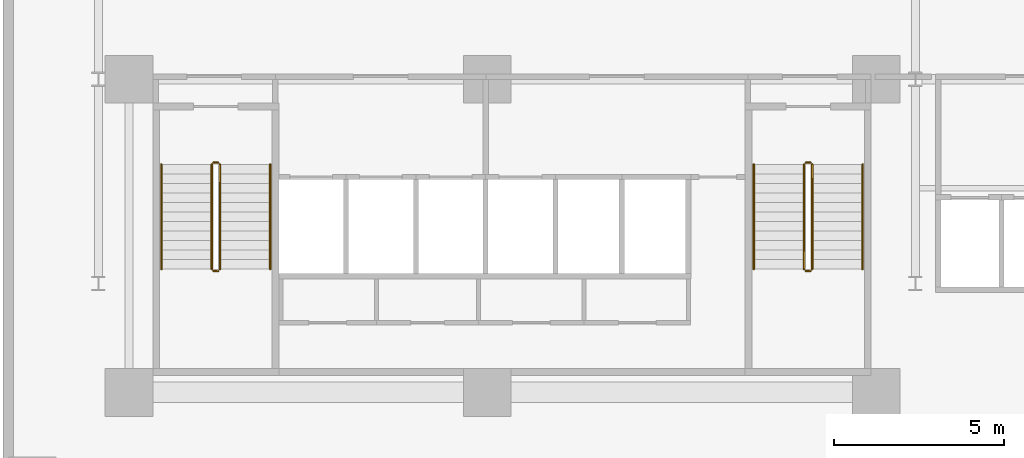
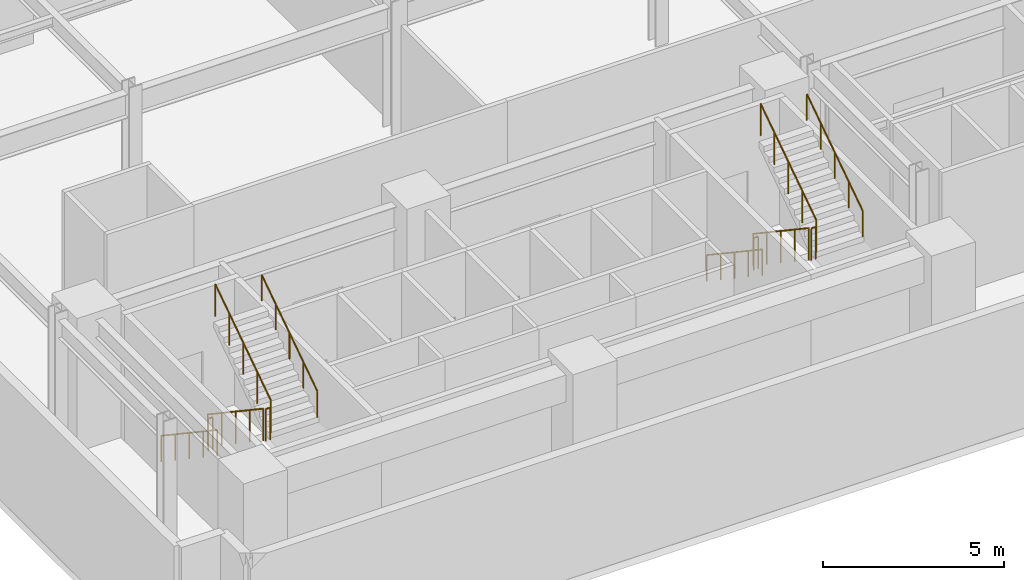
# One storey, part 20 of 26: 12 railings.
"""IFC4 building model written with IfcOpenShell, lengths in metres."""

import ifcopenshell
import ifcopenshell.guid

model = None  # the IFC model being written
_history = None  # IfcOwnerHistory: only IFC2X3 demands one
_inside = {}  # id of a spatial element -> (the spatial element, [elements in it])
_under = {}  # id of a project, library or spatial element -> (it, [spatial elements below it])
_declared = {}  # id of a project -> (the project, [libraries it declares])
_typed = {}  # id of a type object -> (the type object, [elements of that type])
_made_of = {}  # id of a material, layer set ... -> (it, [elements and type objects made of it])


def new_model(schema):
    """Start an empty IFC model of exactly this schema.

    Asked for "IFC4X3", IfcOpenShell would pick the latest addendum, in which some entities
    have other attributes; the version numbers below select the first issue.
    IFC2X3 requires an IfcOwnerHistory on every rooted entity: one is made here for all.
    """
    global model, _history
    if schema == "IFC4X3":
        model = ifcopenshell.file(schema_version=(4, 3, 0, 0))
    else:
        model = ifcopenshell.file(schema=schema)
    _inside.clear()
    _under.clear()
    _declared.clear()
    _typed.clear()
    _made_of.clear()
    _history = None
    if model.schema == "IFC2X3":
        org = make("IfcOrganization", Name="unknown")
        user = make(
            "IfcPersonAndOrganization",
            ThePerson=make("IfcPerson", FamilyName="unknown"),
            TheOrganization=org,
        )
        app = make(
            "IfcApplication",
            ApplicationDeveloper=org,
            Version="unknown",
            ApplicationFullName="unknown",
            ApplicationIdentifier="unknown",
        )
        _history = make(
            "IfcOwnerHistory",
            OwningUser=user,
            OwningApplication=app,
            ChangeAction="ADDED",
            CreationDate=0,
        )
    return model


def make(cls, **values):
    """One entity of the class cls with the attributes given. An attribute that is None is left unset."""
    return model.create_entity(
        cls, **{name: value for name, value in values.items() if value is not None}
    )


def rooted(cls, **values):
    """An entity with a GlobalId (a new one), such as an element, a storey or a relation."""
    return make(cls, GlobalId=ifcopenshell.guid.new(), OwnerHistory=_history, **values)


def si_unit(unit_type, name, prefix=None):
    """IfcSIUnit, for example si_unit("LENGTHUNIT", "METRE", prefix="MILLI")."""
    return make("IfcSIUnit", UnitType=unit_type, Prefix=prefix, Name=name)


def assignment(units):
    """IfcUnitAssignment: the units of a project."""
    return None if units is None else make("IfcUnitAssignment", Units=units)


def point(xyz):
    """IfcCartesianPoint."""
    return None if xyz is None else make("IfcCartesianPoint", Coordinates=xyz)


def direction(xyz):
    """IfcDirection."""
    return None if xyz is None else make("IfcDirection", DirectionRatios=xyz)


def frame(location, z_axis=None, x_axis=None):
    """IfcAxis2Placement3D, a coordinate frame: its origin and axes. An axis left out is left unset."""
    return make(
        "IfcAxis2Placement3D",
        Location=point(location),
        Axis=direction(z_axis),
        RefDirection=direction(x_axis),
    )


def frame_2d(location, x_axis=None):
    """IfcAxis2Placement2D, a coordinate frame in the plane: its origin and x axis."""
    return make(
        "IfcAxis2Placement2D", Location=point(location), RefDirection=direction(x_axis)
    )


def origin():
    """The frame at (0, 0, 0) with its axes left unset."""
    return frame((0.0, 0.0, 0.0))


def origin_2d():
    """The frame at (0, 0) in the plane with its x axis left unset."""
    return frame_2d((0.0, 0.0))


def place(relative_to, where):
    """IfcLocalPlacement: puts the frame where relative to a parent placement (None: the world)."""
    return make(
        "IfcLocalPlacement", PlacementRelTo=relative_to, RelativePlacement=where
    )


def context(
    kind, dimensions, precision=None, world=None, true_north=None, identifier=None
):
    """IfcGeometricRepresentationContext, for example the 3D "Model" context."""
    return make(
        "IfcGeometricRepresentationContext",
        ContextIdentifier=identifier,
        ContextType=kind,
        CoordinateSpaceDimension=dimensions,
        Precision=precision,
        WorldCoordinateSystem=world,
        TrueNorth=true_north,
    )


def subcontext(parent, identifier, kind, view, scale=None):
    """IfcGeometricRepresentationSubContext, for example "Body" below "Model"."""
    return make(
        "IfcGeometricRepresentationSubContext",
        ContextIdentifier=identifier,
        ContextType=kind,
        ParentContext=parent,
        TargetScale=scale,
        TargetView=view,
    )


def project(units=None, contexts=None):
    """IfcProject with its units and contexts."""
    return rooted(
        "IfcProject",
        Name="project",
        RepresentationContexts=contexts,
        UnitsInContext=assignment(units),
    )


def spatial(cls, under=None, at=None, **own):
    """A site, building, storey or space (cls), placed at a placement, below another one or the project."""
    s = rooted(cls, ObjectPlacement=at, **own)
    if under is not None:
        _under.setdefault(under.id(), (under, []))[1].append(s)
    return s


def profile(cls, at=None, kind="AREA", **sizes):
    """A parametric profile (cls). Its sizes go by their IFC names, for example OverallWidth=200.0."""
    return make(cls, ProfileType=kind, Position=at, **sizes)


def circle(**sizes):
    """IfcCircleProfileDef."""
    return profile("IfcCircleProfileDef", **sizes)


def extrude(swept, where, along, depth):
    """IfcExtrudedAreaSolid: the profile swept, set in the frame where, extruded along a direction by depth."""
    return make(
        "IfcExtrudedAreaSolid",
        SweptArea=swept,
        Position=where,
        ExtrudedDirection=direction(along),
        Depth=depth,
    )


def shape(context_of_items, identifier, shape_type, items):
    """IfcShapeRepresentation: the items that make up one representation, for example the "Body"."""
    return make(
        "IfcShapeRepresentation",
        ContextOfItems=context_of_items,
        RepresentationIdentifier=identifier,
        RepresentationType=shape_type,
        Items=items,
    )


def material(Name=None, Category=None):
    """IfcMaterial."""
    return make("IfcMaterial", Name=Name, Category=Category)


def made_of(thing, what):
    """Note that an element or type object is made of a material, layer set ...; save() writes the relation."""
    if what is not None:
        _made_of.setdefault(what.id(), (what, []))[1].append(thing)
    return thing


def type_object(cls, material=None, **own):
    """A type object (cls), such as IfcWallType, which elements share."""
    return made_of(rooted(cls, **own), material)


def element(
    cls,
    number,
    at=None,
    inside=None,
    cuts=None,
    type_object=None,
    material=None,
    context=None,
    identifier="Body",
    shape_type=None,
    held_by="IfcProductDefinitionShape",
    body=None,
    shapes=None,
    **own,
):
    """One element of the class cls, such as IfcWall. Its Tag is "e" and its number.

    at: its placement. inside: the storey or other place that contains it. cuts: it is an
    opening in that element (IfcRelVoidsElement). A single representation is given by context,
    identifier, shape_type and body (its items); several are given by shapes. held_by: the class
    of the entity that holds the representations. save() writes the other relations.
    """
    e = rooted(cls, Tag="e%d" % number, ObjectPlacement=at, **own)
    if body is not None:
        shapes = [shape(context, identifier, shape_type, body)]
    if shapes is not None:
        e.Representation = make(held_by, Representations=shapes)
    if inside is not None:
        _inside.setdefault(inside.id(), (inside, []))[1].append(e)
    if cuts is not None:
        rooted(
            "IfcRelVoidsElement", RelatingBuildingElement=cuts, RelatedOpeningElement=e
        )
    if type_object is not None:
        _typed.setdefault(type_object.id(), (type_object, []))[1].append(e)
    return made_of(e, material)


def aggregate(whole, parts):
    """IfcRelAggregates: a whole, such as a stair, and the parts it consists of."""
    return rooted("IfcRelAggregates", RelatingObject=whole, RelatedObjects=parts)


def save(model, path):
    """Write the relations noted so far, then the file.

    IfcRelAggregates (storeys below a building ...), IfcRelContainedInSpatialStructure (elements
    in a storey), IfcRelDefinesByType, IfcRelAssociatesMaterial and IfcRelDeclares: one each for
    every whole, place, type object, material and project.
    """
    for whole, parts in _under.values():
        aggregate(whole, parts)
    for where, things in _inside.values():
        rooted(
            "IfcRelContainedInSpatialStructure",
            RelatedElements=things,
            RelatingStructure=where,
        )
    for kind, things in _typed.values():
        rooted("IfcRelDefinesByType", RelatedObjects=things, RelatingType=kind)
    for what, things in _made_of.values():
        rooted("IfcRelAssociatesMaterial", RelatedObjects=things, RelatingMaterial=what)
    for by, libraries in _declared.values():
        rooted("IfcRelDeclares", RelatingContext=by, RelatedDefinitions=libraries)
    model.write(path)


model = new_model("IFC4")

# Units and contexts
model_context = context("Model", 3, precision=1e-05, world=origin(), true_north=direction((0.0, 1.0)))
body_context = subcontext(model_context, "Body", "Model", "MODEL_VIEW")
ifc_project = project(units=[si_unit("LENGTHUNIT", "METRE"), si_unit("AREAUNIT", "SQUARE_METRE"), si_unit("VOLUMEUNIT", "CUBIC_METRE"), si_unit("PLANEANGLEUNIT", "RADIAN"), si_unit("MASSUNIT", "GRAM", prefix="KILO")], contexts=[model_context])

# Site, building, storey
site_placement = place(None, origin())
site = spatial("IfcSite", under=ifc_project, at=site_placement, CompositionType="ELEMENT")
building_placement = place(site_placement, origin())
building = spatial("IfcBuilding", under=site, at=building_placement, Name="Varnakote Quay Hospital", CompositionType="ELEMENT")
storey_placement = place(building_placement, frame((0.0, 0.0, 4.5)))
storey = spatial("IfcBuildingStorey", under=building, at=storey_placement, Name="L01", CompositionType="ELEMENT", Elevation=4.5)

# Railings
ifc_material_1 = material(Name="Brushed stainless steel balustrade", Category="steel")
railing_type_1 = type_object("IfcRailingType", Name="RLG-STAIR-GUARD-1150", PredefinedType="GUARDRAIL", material=ifc_material_1)
railing_1_placement = place(storey_placement, frame((4.530029296875, 9.5, 0.1875)))
element("IfcRailing", 1, at=railing_1_placement, inside=storey, type_object=railing_type_1, Name="L01 ST-01 stair guard 1", PredefinedType="GUARDRAIL", context=body_context, shape_type="SweptSolid", body=[
    extrude(circle(Radius=0.02392578125, at=origin_2d()), frame((0.0, 0.0, 1.076171875), z_axis=(0.0, -0.830913701846, 0.55640131208), x_axis=(1.0, 0.0, 0.0)), (0.0, 0.0, 1.0), 3.706787109375),
    extrude(circle(Radius=0.02099609375, at=origin_2d()), origin(), (0.0, 0.0, 1.0), 1.052001953125),
    extrude(circle(Radius=0.02099609375, at=origin_2d()), frame((0.0, -0.77001953125, 0.515625)), (0.0, 0.0, 1.0), 1.052001953125),
    extrude(circle(Radius=0.02099609375, at=origin_2d()), frame((0.0, -1.5400390625, 1.03125)), (0.0, 0.0, 1.0), 1.052001953125),
    extrude(circle(Radius=0.02099609375, at=origin_2d()), frame((0.0, -2.31005859375, 1.546875)), (0.0, 0.0, 1.0), 1.052001953125),
    extrude(circle(Radius=0.02099609375, at=origin_2d()), frame((0.0, -3.080078125, 2.0625)), (0.0, 0.0, 1.0), 1.052001953125),
])
railing_2_placement = place(storey_placement, frame((4.580078125, 6.3701171875, 2.25)))
element("IfcRailing", 2, at=railing_2_placement, inside=storey, type_object=railing_type_1, Name="L01 ST-01 stair guard 2", PredefinedType="GUARDRAIL", context=body_context, shape_type="SweptSolid", body=[
    extrude(circle(Radius=0.02392578125, at=origin_2d()), frame((0.0, 0.0, 1.076171875), z_axis=(1.0, 0.0, 0.0), x_axis=(0.0, 1.0, 0.0)), (0.0, 0.0, 1.0), 0.139892578125),
    extrude(circle(Radius=0.02099609375, at=origin_2d()), origin(), (0.0, 0.0, 1.0), 1.052001953125),
    extrude(circle(Radius=0.02099609375, at=origin_2d()), frame((0.139892578125, 0.0, 0.0)), (0.0, 0.0, 1.0), 1.052001953125),
])
railing_3_placement = place(storey_placement, frame((4.77001953125, 6.419921875, 2.4375)))
element("IfcRailing", 3, at=railing_3_placement, inside=storey, type_object=railing_type_1, Name="L01 ST-01 stair guard 3", PredefinedType="GUARDRAIL", context=body_context, shape_type="SweptSolid", body=[
    extrude(circle(Radius=0.02392578125, at=origin_2d()), frame((0.0, 0.0, 1.076171875), z_axis=(0.0, 0.830913701846, 0.55640131208), x_axis=(-1.0, 0.0, 0.0)), (0.0, 0.0, 1.0), 3.706787109375),
    extrude(circle(Radius=0.02099609375, at=origin_2d()), origin(), (0.0, 0.0, 1.0), 1.052001953125),
    extrude(circle(Radius=0.02099609375, at=origin_2d()), frame((0.0, 0.77001953125, 0.515625)), (0.0, 0.0, 1.0), 1.052001953125),
    extrude(circle(Radius=0.02099609375, at=origin_2d()), frame((0.0, 1.5400390625, 1.03125)), (0.0, 0.0, 1.0), 1.052001953125),
    extrude(circle(Radius=0.02099609375, at=origin_2d()), frame((0.0, 2.31005859375, 1.546875)), (0.0, 0.0, 1.0), 1.052001953125),
    extrude(circle(Radius=0.02099609375, at=origin_2d()), frame((0.0, 3.080078125, 2.0625)), (0.0, 0.0, 1.0), 1.052001953125),
])
railing_4_placement = place(storey_placement, frame((4.580078125, 9.550048828125, 0.0)))
element("IfcRailing", 4, at=railing_4_placement, inside=storey, type_object=railing_type_1, Name="L01 ST-01 stair guard 4", PredefinedType="GUARDRAIL", context=body_context, shape_type="SweptSolid", body=[
    extrude(circle(Radius=0.02392578125, at=origin_2d()), frame((0.0, 0.0, 1.076171875), z_axis=(1.0, 0.0, 0.0), x_axis=(0.0, 1.0, 0.0)), (0.0, 0.0, 1.0), 0.139892578125),
    extrude(circle(Radius=0.02099609375, at=origin_2d()), origin(), (0.0, 0.0, 1.0), 1.052001953125),
    extrude(circle(Radius=0.02099609375, at=origin_2d()), frame((0.139892578125, 0.0, 0.0)), (0.0, 0.0, 1.0), 1.052001953125),
])
railing_5_placement = place(storey_placement, frame((21.929931640625, 9.5, 0.1875)))
element("IfcRailing", 5, at=railing_5_placement, inside=storey, type_object=railing_type_1, Name="L01 ST-02 stair guard 1", PredefinedType="GUARDRAIL", context=body_context, shape_type="SweptSolid", body=[
    extrude(circle(Radius=0.02392578125, at=origin_2d()), frame((0.0, 0.0, 1.076171875), z_axis=(0.0, -0.830913701846, 0.55640131208), x_axis=(1.0, 0.0, 0.0)), (0.0, 0.0, 1.0), 3.706787109375),
    extrude(circle(Radius=0.02099609375, at=origin_2d()), origin(), (0.0, 0.0, 1.0), 1.052001953125),
    extrude(circle(Radius=0.02099609375, at=origin_2d()), frame((0.0, -0.77001953125, 0.515625)), (0.0, 0.0, 1.0), 1.052001953125),
    extrude(circle(Radius=0.02099609375, at=origin_2d()), frame((0.0, -1.5400390625, 1.03125)), (0.0, 0.0, 1.0), 1.052001953125),
    extrude(circle(Radius=0.02099609375, at=origin_2d()), frame((0.0, -2.31005859375, 1.546875)), (0.0, 0.0, 1.0), 1.052001953125),
    extrude(circle(Radius=0.02099609375, at=origin_2d()), frame((0.0, -3.080078125, 2.0625)), (0.0, 0.0, 1.0), 1.052001953125),
])
railing_6_placement = place(storey_placement, frame((21.97998046875, 6.3701171875, 2.25)))
element("IfcRailing", 6, at=railing_6_placement, inside=storey, type_object=railing_type_1, Name="L01 ST-02 stair guard 2", PredefinedType="GUARDRAIL", context=body_context, shape_type="SweptSolid", body=[
    extrude(circle(Radius=0.02392578125, at=origin_2d()), frame((0.0, 0.0, 1.076171875), z_axis=(1.0, 0.0, 0.0), x_axis=(0.0, 1.0, 0.0)), (0.0, 0.0, 1.0), 0.14013671875),
    extrude(circle(Radius=0.02099609375, at=origin_2d()), origin(), (0.0, 0.0, 1.0), 1.052001953125),
    extrude(circle(Radius=0.02099609375, at=origin_2d()), frame((0.14013671875, 0.0, 0.0)), (0.0, 0.0, 1.0), 1.052001953125),
])
railing_7_placement = place(storey_placement, frame((22.169921875, 6.419921875, 2.4375)))
element("IfcRailing", 7, at=railing_7_placement, inside=storey, type_object=railing_type_1, Name="L01 ST-02 stair guard 3", PredefinedType="GUARDRAIL", context=body_context, shape_type="SweptSolid", body=[
    extrude(circle(Radius=0.02392578125, at=origin_2d()), frame((0.0, 0.0, 1.076171875), z_axis=(0.0, 0.830913701846, 0.55640131208), x_axis=(-1.0, 0.0, 0.0)), (0.0, 0.0, 1.0), 3.706787109375),
    extrude(circle(Radius=0.02099609375, at=origin_2d()), origin(), (0.0, 0.0, 1.0), 1.052001953125),
    extrude(circle(Radius=0.02099609375, at=origin_2d()), frame((0.0, 0.77001953125, 0.515625)), (0.0, 0.0, 1.0), 1.052001953125),
    extrude(circle(Radius=0.02099609375, at=origin_2d()), frame((0.0, 1.5400390625, 1.03125)), (0.0, 0.0, 1.0), 1.052001953125),
    extrude(circle(Radius=0.02099609375, at=origin_2d()), frame((0.0, 2.31005859375, 1.546875)), (0.0, 0.0, 1.0), 1.052001953125),
    extrude(circle(Radius=0.02099609375, at=origin_2d()), frame((0.0, 3.080078125, 2.0625)), (0.0, 0.0, 1.0), 1.052001953125),
])
railing_8_placement = place(storey_placement, frame((21.97998046875, 9.550048828125, 0.0)))
element("IfcRailing", 8, at=railing_8_placement, inside=storey, type_object=railing_type_1, Name="L01 ST-02 stair guard 4", PredefinedType="GUARDRAIL", context=body_context, shape_type="SweptSolid", body=[
    extrude(circle(Radius=0.02392578125, at=origin_2d()), frame((0.0, 0.0, 1.076171875), z_axis=(1.0, 0.0, 0.0), x_axis=(0.0, 1.0, 0.0)), (0.0, 0.0, 1.0), 0.14013671875),
    extrude(circle(Radius=0.02099609375, at=origin_2d()), origin(), (0.0, 0.0, 1.0), 1.052001953125),
    extrude(circle(Radius=0.02099609375, at=origin_2d()), frame((0.14013671875, 0.0, 0.0)), (0.0, 0.0, 1.0), 1.052001953125),
])
ifc_material_2 = material(Name="Brushed stainless steel handrail", Category="steel")
railing_type_2 = type_object("IfcRailingType", Name="RLG-STAIR-HND-920", PredefinedType="HANDRAIL", material=ifc_material_2)
railing_9_placement = place(storey_placement, frame((3.050048828125, 9.5, 0.1875)))
element("IfcRailing", 9, at=railing_9_placement, inside=storey, type_object=railing_type_2, Name="L01 ST-01 stair handrail 1", PredefinedType="HANDRAIL", context=body_context, shape_type="SweptSolid", body=[
    extrude(circle(Radius=0.02392578125, at=origin_2d()), frame((0.0, 0.0, 0.8759765625), z_axis=(0.0, -0.830913701846, 0.55640131208), x_axis=(1.0, 0.0, 0.0)), (0.0, 0.0, 1.0), 3.706787109375),
    extrude(circle(Radius=0.02099609375, at=origin_2d()), origin(), (0.0, 0.0, 1.0), 0.851806640625),
    extrude(circle(Radius=0.02099609375, at=origin_2d()), frame((0.0, -0.77001953125, 0.515625)), (0.0, 0.0, 1.0), 0.851806640625),
    extrude(circle(Radius=0.02099609375, at=origin_2d()), frame((0.0, -1.5400390625, 1.03125)), (0.0, 0.0, 1.0), 0.851806640625),
    extrude(circle(Radius=0.02099609375, at=origin_2d()), frame((0.0, -2.31005859375, 1.546875)), (0.0, 0.0, 1.0), 0.851806640625),
    extrude(circle(Radius=0.02099609375, at=origin_2d()), frame((0.0, -3.080078125, 2.0625)), (0.0, 0.0, 1.0), 0.851806640625),
])
railing_10_placement = place(storey_placement, frame((6.25, 6.419921875, 2.4375)))
element("IfcRailing", 10, at=railing_10_placement, inside=storey, type_object=railing_type_2, Name="L01 ST-01 stair handrail 2", PredefinedType="HANDRAIL", context=body_context, shape_type="SweptSolid", body=[
    extrude(circle(Radius=0.02392578125, at=origin_2d()), frame((0.0, 0.0, 0.8759765625), z_axis=(0.0, 0.830913701846, 0.55640131208), x_axis=(-1.0, 0.0, 0.0)), (0.0, 0.0, 1.0), 3.706787109375),
    extrude(circle(Radius=0.02099609375, at=origin_2d()), origin(), (0.0, 0.0, 1.0), 0.851806640625),
    extrude(circle(Radius=0.02099609375, at=origin_2d()), frame((0.0, 0.77001953125, 0.515625)), (0.0, 0.0, 1.0), 0.851806640625),
    extrude(circle(Radius=0.02099609375, at=origin_2d()), frame((0.0, 1.5400390625, 1.03125)), (0.0, 0.0, 1.0), 0.851806640625),
    extrude(circle(Radius=0.02099609375, at=origin_2d()), frame((0.0, 2.31005859375, 1.546875)), (0.0, 0.0, 1.0), 0.851806640625),
    extrude(circle(Radius=0.02099609375, at=origin_2d()), frame((0.0, 3.080078125, 2.0625)), (0.0, 0.0, 1.0), 0.851806640625),
])
railing_11_placement = place(storey_placement, frame((20.449951171875, 9.5, 0.1875)))
element("IfcRailing", 11, at=railing_11_placement, inside=storey, type_object=railing_type_2, Name="L01 ST-02 stair handrail 1", PredefinedType="HANDRAIL", context=body_context, shape_type="SweptSolid", body=[
    extrude(circle(Radius=0.02392578125, at=origin_2d()), frame((0.0, 0.0, 0.8759765625), z_axis=(0.0, -0.830913701846, 0.55640131208), x_axis=(1.0, 0.0, 0.0)), (0.0, 0.0, 1.0), 3.706787109375),
    extrude(circle(Radius=0.02099609375, at=origin_2d()), origin(), (0.0, 0.0, 1.0), 0.851806640625),
    extrude(circle(Radius=0.02099609375, at=origin_2d()), frame((0.0, -0.77001953125, 0.515625)), (0.0, 0.0, 1.0), 0.851806640625),
    extrude(circle(Radius=0.02099609375, at=origin_2d()), frame((0.0, -1.5400390625, 1.03125)), (0.0, 0.0, 1.0), 0.851806640625),
    extrude(circle(Radius=0.02099609375, at=origin_2d()), frame((0.0, -2.31005859375, 1.546875)), (0.0, 0.0, 1.0), 0.851806640625),
    extrude(circle(Radius=0.02099609375, at=origin_2d()), frame((0.0, -3.080078125, 2.0625)), (0.0, 0.0, 1.0), 0.851806640625),
])
railing_12_placement = place(storey_placement, frame((23.64990234375, 6.419921875, 2.4375)))
element("IfcRailing", 12, at=railing_12_placement, inside=storey, type_object=railing_type_2, Name="L01 ST-02 stair handrail 2", PredefinedType="HANDRAIL", context=body_context, shape_type="SweptSolid", body=[
    extrude(circle(Radius=0.02392578125, at=origin_2d()), frame((0.0, 0.0, 0.8759765625), z_axis=(0.0, 0.830913701846, 0.55640131208), x_axis=(-1.0, 0.0, 0.0)), (0.0, 0.0, 1.0), 3.706787109375),
    extrude(circle(Radius=0.02099609375, at=origin_2d()), origin(), (0.0, 0.0, 1.0), 0.851806640625),
    extrude(circle(Radius=0.02099609375, at=origin_2d()), frame((0.0, 0.77001953125, 0.515625)), (0.0, 0.0, 1.0), 0.851806640625),
    extrude(circle(Radius=0.02099609375, at=origin_2d()), frame((0.0, 1.5400390625, 1.03125)), (0.0, 0.0, 1.0), 0.851806640625),
    extrude(circle(Radius=0.02099609375, at=origin_2d()), frame((0.0, 2.31005859375, 1.546875)), (0.0, 0.0, 1.0), 0.851806640625),
    extrude(circle(Radius=0.02099609375, at=origin_2d()), frame((0.0, 3.080078125, 2.0625)), (0.0, 0.0, 1.0), 0.851806640625),
])

save(model, "model.ifc")
